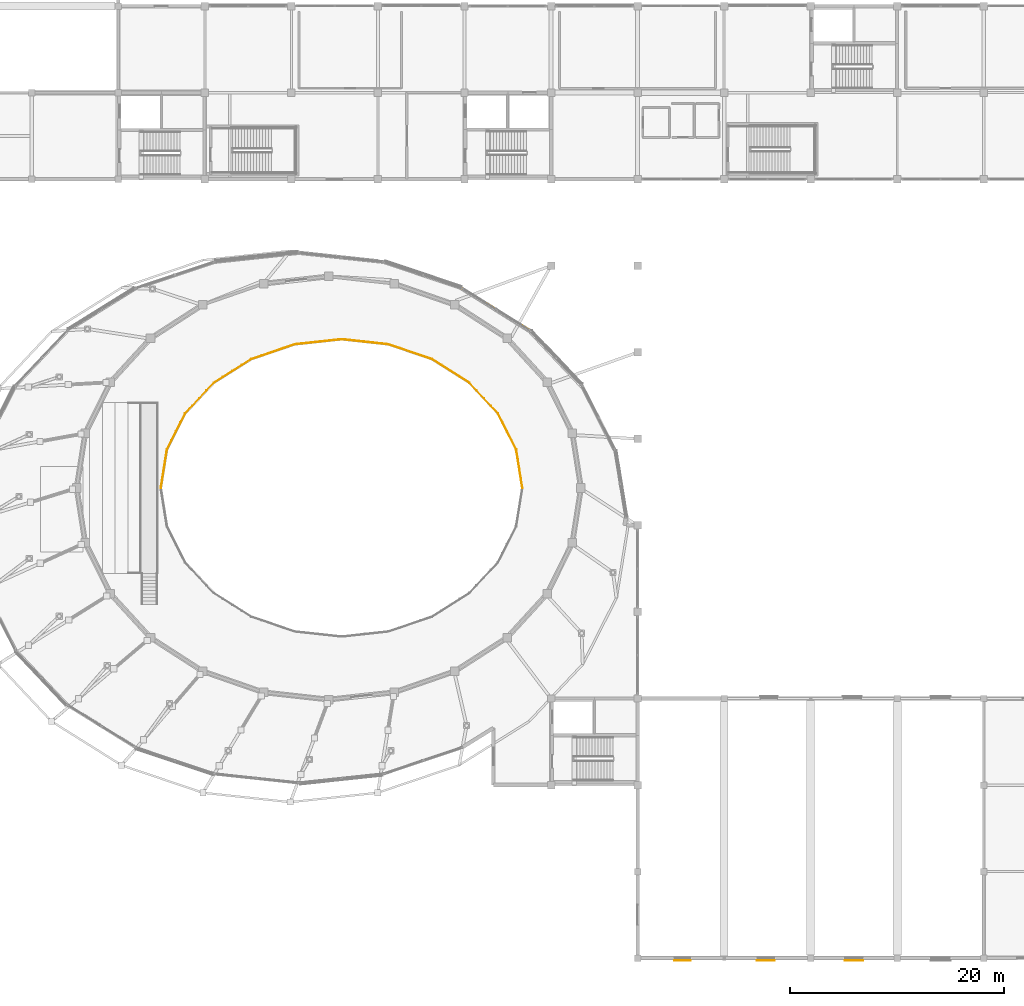
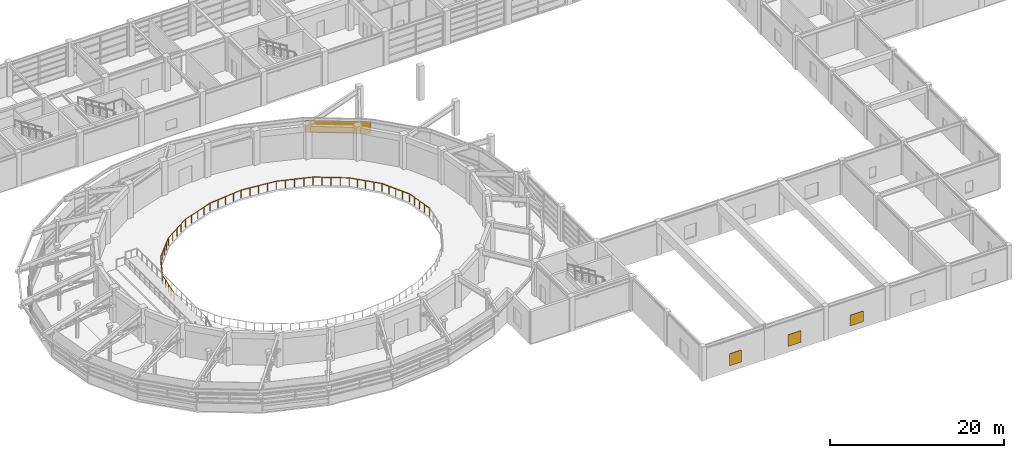
# One storey, part 50 of 58: 3 shading devices, 1 covering, 1 railing.
"""IFC4 building model written with IfcOpenShell, lengths in metres."""

from ifc_helpers import new_model, si_unit, direction, frame, origin, origin_2d, place, context, subcontext, project, spatial, rectangle, circle, extrude, material, layer, layer_set, type_object, element, save


model = new_model("IFC4")

# Units and contexts
model_context = context("Model", 3, precision=1e-05, world=origin(), true_north=direction((0.0, 1.0)))
body_context = subcontext(model_context, "Body", "Model", "MODEL_VIEW")
ifc_project = project(units=[si_unit("LENGTHUNIT", "METRE"), si_unit("AREAUNIT", "SQUARE_METRE"), si_unit("VOLUMEUNIT", "CUBIC_METRE"), si_unit("PLANEANGLEUNIT", "RADIAN"), si_unit("MASSUNIT", "GRAM", prefix="KILO")], contexts=[model_context])

# Site, building, storey
site_placement = place(None, origin())
site = spatial("IfcSite", under=ifc_project, at=site_placement, CompositionType="ELEMENT")
building_placement = place(site_placement, origin())
building = spatial("IfcBuilding", under=site, at=building_placement, Name="Parian Resonance Hall", CompositionType="ELEMENT")
storey_placement = place(building_placement, frame((0.0, 0.0, 10.199951171875)))
storey = spatial("IfcBuildingStorey", under=building, at=storey_placement, Name="L02", CompositionType="ELEMENT", Elevation=10.199951171875)

# Covering
ifc_material_1 = material(Name="Polychrome trencadis ceramic mosaic cladding")
ifc_layer_1 = layer(ifc_material_1, 0.030029296875)
ifc_layer_set_1 = layer_set([ifc_layer_1], Name="Polychrome trencadis ceramic mosaic cladding")
covering_type = type_object("IfcCoveringType", Name="COV-MOSAIC-CLAD", PredefinedType="CLADDING", material=ifc_layer_set_1)
covering_placement = place(storey_placement, frame((59.668701171875, 60.706787109375, 2.35498046875), z_axis=(0.0, 0.0, 1.0), x_axis=(0.849184669667, -0.528096010971, 0.0)))
element("IfcCovering", 1, at=covering_placement, inside=storey, type_object=covering_type, Name="Elliptical R2 upper mosaic frieze cladding 04", PredefinedType="CLADDING", context=body_context, shape_type="SweptSolid", body=[
    extrude(rectangle(XDim=7.462890625, YDim=0.030029296875, at=origin_2d()), origin(), (0.0, 0.0, 1.0), 1.695068359375),
])

# Railing
ifc_material_2 = material(Name="Patinated bronze whiplash metalwork")
railing_type = type_object("IfcRailingType", Name="RAIL-HALL-BAL-1120", PredefinedType="BALUSTRADE", material=ifc_material_2)
railing_placement = place(storey_placement, frame((62.1201171875, 44.0, 0.0)))
element("IfcRailing", 2, at=railing_placement, inside=storey, type_object=railing_type, Name="Main Concert Hall L02 north-west bronze balustrade", PredefinedType="BALUSTRADE", context=body_context, shape_type="SweptSolid", body=[
    extrude(circle(Radius=0.02392578125, at=origin_2d()), frame((0.0, 0.0, 1.09619140625), z_axis=(-0.158047914275, 0.987431444098, 0.0), x_axis=(-0.987431444098, -0.158047914275, 0.0)), (0.0, 0.0, 1.0), 3.648681640625),
    extrude(circle(Radius=0.02392578125, at=origin_2d()), frame((-0.57666015625, 3.602783203125, 1.09619140625), z_axis=(-0.449731982165, 0.893163559612, 0.0), x_axis=(-0.893163559612, -0.449731982165, 0.0)), (0.0, 0.0, 1.0), 3.7587890625),
    extrude(circle(Radius=0.02392578125, at=origin_2d()), frame((-2.26708984375, 6.9599609375, 1.09619140625), z_axis=(-0.682029143844, 0.731324994067, 0.0), x_axis=(-0.731324994067, -0.682029143844, 0.0)), (0.0, 0.0, 1.0), 3.942138671875),
    extrude(circle(Radius=0.02392578125, at=origin_2d()), frame((-4.955810546875, 9.843017578125, 1.09619140625), z_axis=(-0.845613468767, 0.533795711335, 0.0), x_axis=(-0.533795711335, -0.845613468767, 0.0)), (0.0, 0.0, 1.0), 4.144287109375),
    extrude(circle(Radius=0.02392578125, at=origin_2d()), frame((-8.460205078125, 12.05517578125, 1.09619140625), z_axis=(-0.946549881424, 0.32255747081, 0.0), x_axis=(-0.32255747081, -0.946549881424, 0.0)), (0.0, 0.0, 1.0), 4.311279296875),
    extrude(circle(Radius=0.02392578125, at=origin_2d()), frame((-12.541015625, 13.44580078125, 1.09619140625), z_axis=(-0.99419006698, 0.107638797462, 0.0), x_axis=(-0.107638797462, -0.99419006698, 0.0)), (0.0, 0.0, 1.0), 4.40478515625),
    extrude(circle(Radius=0.02392578125, at=origin_2d()), frame((-16.920166015625, 13.919921875, 1.09619140625), z_axis=(-0.99419006698, -0.107638797462, 0.0), x_axis=(0.107638797462, -0.99419006698, 0.0)), (0.0, 0.0, 1.0), 4.40478515625),
    extrude(circle(Radius=0.02392578125, at=origin_2d()), frame((-21.29931640625, 13.44580078125, 1.09619140625), z_axis=(-0.946549881424, -0.32255747081, 0.0), x_axis=(0.32255747081, -0.946549881424, 0.0)), (0.0, 0.0, 1.0), 4.311279296875),
    extrude(circle(Radius=0.02392578125, at=origin_2d()), frame((-25.380126953125, 12.05517578125, 1.09619140625), z_axis=(-0.84559668144, -0.533822304085, 0.0), x_axis=(0.533822304085, -0.84559668144, 0.0)), (0.0, 0.0, 1.0), 4.14404296875),
    extrude(circle(Radius=0.02392578125, at=origin_2d()), frame((-28.88427734375, 9.843017578125, 1.09619140625), z_axis=(-0.682062263866, -0.731294105138, 0.0), x_axis=(0.731294105138, -0.682062263866, 0.0)), (0.0, 0.0, 1.0), 3.9423828125),
    extrude(circle(Radius=0.02392578125, at=origin_2d()), frame((-31.5732421875, 6.9599609375, 1.09619140625), z_axis=(-0.449731982165, -0.893163559612, 0.0), x_axis=(0.893163559612, -0.449731982165, 0.0)), (0.0, 0.0, 1.0), 3.7587890625),
    extrude(circle(Radius=0.02392578125, at=origin_2d()), frame((-33.263671875, 3.602783203125, 1.09619140625), z_axis=(-0.157982671914, -0.987441884556, 0.0), x_axis=(0.987441884556, -0.157982671914, 0.0)), (0.0, 0.0, 1.0), 3.648681640625),
    extrude(circle(Radius=0.02099609375, at=origin_2d()), origin(), (0.0, 0.0, 1.0), 1.072021484375),
    extrude(circle(Radius=0.02099609375, at=origin_2d()), frame((-0.14404296875, 0.900634765625, 0.0)), (0.0, 0.0, 1.0), 1.072021484375),
    extrude(circle(Radius=0.02099609375, at=origin_2d()), frame((-0.288330078125, 1.80126953125, 0.0)), (0.0, 0.0, 1.0), 1.072021484375),
    extrude(circle(Radius=0.02099609375, at=origin_2d()), frame((-0.4326171875, 2.7021484375, 0.0)), (0.0, 0.0, 1.0), 1.072021484375),
    extrude(circle(Radius=0.02099609375, at=origin_2d()), frame((-0.57666015625, 3.602783203125, 0.0)), (0.0, 0.0, 1.0), 1.072021484375),
    extrude(circle(Radius=0.02099609375, at=origin_2d()), frame((-0.999267578125, 4.442138671875, 0.0)), (0.0, 0.0, 1.0), 1.072021484375),
    extrude(circle(Radius=0.02099609375, at=origin_2d()), frame((-1.421875, 5.28125, 0.0)), (0.0, 0.0, 1.0), 1.072021484375),
    extrude(circle(Radius=0.02099609375, at=origin_2d()), frame((-1.844482421875, 6.12060546875, 0.0)), (0.0, 0.0, 1.0), 1.072021484375),
    extrude(circle(Radius=0.02099609375, at=origin_2d()), frame((-2.26708984375, 6.9599609375, 0.0)), (0.0, 0.0, 1.0), 1.072021484375),
    extrude(circle(Radius=0.02099609375, at=origin_2d()), frame((-2.939208984375, 7.6806640625, 0.0)), (0.0, 0.0, 1.0), 1.072021484375),
    extrude(circle(Radius=0.02099609375, at=origin_2d()), frame((-3.611328125, 8.4013671875, 0.0)), (0.0, 0.0, 1.0), 1.072021484375),
    extrude(circle(Radius=0.02099609375, at=origin_2d()), frame((-4.28369140625, 9.122314453125, 0.0)), (0.0, 0.0, 1.0), 1.072021484375),
    extrude(circle(Radius=0.02099609375, at=origin_2d()), frame((-4.955810546875, 9.843017578125, 0.0)), (0.0, 0.0, 1.0), 1.072021484375),
    extrude(circle(Radius=0.02099609375, at=origin_2d()), frame((-5.83203125, 10.39599609375, 0.0)), (0.0, 0.0, 1.0), 1.072021484375),
    extrude(circle(Radius=0.02099609375, at=origin_2d()), frame((-6.7080078125, 10.94921875, 0.0)), (0.0, 0.0, 1.0), 1.072021484375),
    extrude(circle(Radius=0.02099609375, at=origin_2d()), frame((-7.583984375, 11.502197265625, 0.0)), (0.0, 0.0, 1.0), 1.072021484375),
    extrude(circle(Radius=0.02099609375, at=origin_2d()), frame((-8.460205078125, 12.05517578125, 0.0)), (0.0, 0.0, 1.0), 1.072021484375),
    extrude(circle(Radius=0.02099609375, at=origin_2d()), frame((-9.48046875, 12.40283203125, 0.0)), (0.0, 0.0, 1.0), 1.072021484375),
    extrude(circle(Radius=0.02099609375, at=origin_2d()), frame((-10.50048828125, 12.75048828125, 0.0)), (0.0, 0.0, 1.0), 1.072021484375),
    extrude(circle(Radius=0.02099609375, at=origin_2d()), frame((-11.520751953125, 13.09814453125, 0.0)), (0.0, 0.0, 1.0), 1.072021484375),
    extrude(circle(Radius=0.02099609375, at=origin_2d()), frame((-12.541015625, 13.44580078125, 0.0)), (0.0, 0.0, 1.0), 1.072021484375),
    extrude(circle(Radius=0.02099609375, at=origin_2d()), frame((-13.6357421875, 13.564453125, 0.0)), (0.0, 0.0, 1.0), 1.072021484375),
    extrude(circle(Radius=0.02099609375, at=origin_2d()), frame((-14.73046875, 13.682861328125, 0.0)), (0.0, 0.0, 1.0), 1.072021484375),
    extrude(circle(Radius=0.02099609375, at=origin_2d()), frame((-15.825439453125, 13.80126953125, 0.0)), (0.0, 0.0, 1.0), 1.072021484375),
    extrude(circle(Radius=0.02099609375, at=origin_2d()), frame((-16.920166015625, 13.919921875, 0.0)), (0.0, 0.0, 1.0), 1.072021484375),
    extrude(circle(Radius=0.02099609375, at=origin_2d()), frame((-18.014892578125, 13.80126953125, 0.0)), (0.0, 0.0, 1.0), 1.072021484375),
    extrude(circle(Radius=0.02099609375, at=origin_2d()), frame((-19.10986328125, 13.682861328125, 0.0)), (0.0, 0.0, 1.0), 1.072021484375),
    extrude(circle(Radius=0.02099609375, at=origin_2d()), frame((-20.20458984375, 13.564453125, 0.0)), (0.0, 0.0, 1.0), 1.072021484375),
    extrude(circle(Radius=0.02099609375, at=origin_2d()), frame((-21.29931640625, 13.44580078125, 0.0)), (0.0, 0.0, 1.0), 1.072021484375),
    extrude(circle(Radius=0.02099609375, at=origin_2d()), frame((-22.319580078125, 13.09814453125, 0.0)), (0.0, 0.0, 1.0), 1.072021484375),
    extrude(circle(Radius=0.02099609375, at=origin_2d()), frame((-23.33984375, 12.75048828125, 0.0)), (0.0, 0.0, 1.0), 1.072021484375),
    extrude(circle(Radius=0.02099609375, at=origin_2d()), frame((-24.35986328125, 12.40283203125, 0.0)), (0.0, 0.0, 1.0), 1.072021484375),
    extrude(circle(Radius=0.02099609375, at=origin_2d()), frame((-25.380126953125, 12.05517578125, 0.0)), (0.0, 0.0, 1.0), 1.072021484375),
    extrude(circle(Radius=0.02099609375, at=origin_2d()), frame((-26.256103515625, 11.502197265625, 0.0)), (0.0, 0.0, 1.0), 1.072021484375),
    extrude(circle(Radius=0.02099609375, at=origin_2d()), frame((-27.13232421875, 10.94921875, 0.0)), (0.0, 0.0, 1.0), 1.072021484375),
    extrude(circle(Radius=0.02099609375, at=origin_2d()), frame((-28.00830078125, 10.39599609375, 0.0)), (0.0, 0.0, 1.0), 1.072021484375),
    extrude(circle(Radius=0.02099609375, at=origin_2d()), frame((-28.88427734375, 9.843017578125, 0.0)), (0.0, 0.0, 1.0), 1.072021484375),
    extrude(circle(Radius=0.02099609375, at=origin_2d()), frame((-29.556640625, 9.122314453125, 0.0)), (0.0, 0.0, 1.0), 1.072021484375),
    extrude(circle(Radius=0.02099609375, at=origin_2d()), frame((-30.228759765625, 8.4013671875, 0.0)), (0.0, 0.0, 1.0), 1.072021484375),
    extrude(circle(Radius=0.02099609375, at=origin_2d()), frame((-30.90087890625, 7.6806640625, 0.0)), (0.0, 0.0, 1.0), 1.072021484375),
    extrude(circle(Radius=0.02099609375, at=origin_2d()), frame((-31.5732421875, 6.9599609375, 0.0)), (0.0, 0.0, 1.0), 1.072021484375),
    extrude(circle(Radius=0.02099609375, at=origin_2d()), frame((-31.995849609375, 6.12060546875, 0.0)), (0.0, 0.0, 1.0), 1.072021484375),
    extrude(circle(Radius=0.02099609375, at=origin_2d()), frame((-32.41845703125, 5.28125, 0.0)), (0.0, 0.0, 1.0), 1.072021484375),
    extrude(circle(Radius=0.02099609375, at=origin_2d()), frame((-32.841064453125, 4.442138671875, 0.0)), (0.0, 0.0, 1.0), 1.072021484375),
    extrude(circle(Radius=0.02099609375, at=origin_2d()), frame((-33.263671875, 3.602783203125, 0.0)), (0.0, 0.0, 1.0), 1.072021484375),
    extrude(circle(Radius=0.02099609375, at=origin_2d()), frame((-33.40771484375, 2.7021484375, 0.0)), (0.0, 0.0, 1.0), 1.072021484375),
    extrude(circle(Radius=0.02099609375, at=origin_2d()), frame((-33.5517578125, 1.80126953125, 0.0)), (0.0, 0.0, 1.0), 1.072021484375),
    extrude(circle(Radius=0.02099609375, at=origin_2d()), frame((-33.696044921875, 0.900634765625, 0.0)), (0.0, 0.0, 1.0), 1.072021484375),
    extrude(circle(Radius=0.02099609375, at=origin_2d()), frame((-33.840087890625, 0.0, 0.0)), (0.0, 0.0, 1.0), 1.072021484375),
])

# Shading devices
ifc_material_3 = material(Name="Patinated bronze persiana louver")
ifc_layer_2 = layer(ifc_material_3, 0.06005859375)
ifc_layer_set_2 = layer_set([ifc_layer_2], Name="Patinated bronze persiana louver")
shading_device_type = type_object("IfcShadingDeviceType", Name="SHD-PERSIANA-SHT", PredefinedType="SHUTTER", material=ifc_layer_set_2)
shading_device_1_placement = place(storey_placement, frame((77.10009765625, -0.2080078125, 0.85986328125), z_axis=(0.0, 0.0, 1.0), x_axis=(-1.0, 0.0, 0.0)))
element("IfcShadingDevice", 3, at=shading_device_1_placement, inside=storey, type_object=shading_device_type, Name="Bronze operable persiana shutter L02-021", PredefinedType="SHUTTER", context=body_context, shape_type="SweptSolid", body=[
    extrude(rectangle(XDim=1.570068359375, YDim=0.06005859375, at=origin_2d()), origin(), (0.0, 0.0, 1.0), 1.679931640625),
])
shading_device_2_placement = place(storey_placement, frame((84.89990234375, -0.2080078125, 0.860107421875), z_axis=(0.0, 0.0, 1.0), x_axis=(-1.0, 0.0, 0.0)))
element("IfcShadingDevice", 4, at=shading_device_2_placement, inside=storey, type_object=shading_device_type, Name="Bronze operable persiana shutter L02-023", PredefinedType="SHUTTER", context=body_context, shape_type="SweptSolid", body=[
    extrude(rectangle(XDim=1.669921875, YDim=0.06005859375, at=origin_2d()), origin(), (0.0, 0.0, 1.0), 1.6298828125),
])
shading_device_3_placement = place(storey_placement, frame((93.14990234375, -0.2080078125, 0.860107421875), z_axis=(0.0, 0.0, 1.0), x_axis=(-1.0, 0.0, 0.0)))
element("IfcShadingDevice", 5, at=shading_device_3_placement, inside=storey, type_object=shading_device_type, Name="Bronze operable persiana shutter L02-027", PredefinedType="SHUTTER", context=body_context, shape_type="SweptSolid", body=[
    extrude(rectangle(XDim=1.77001953125, YDim=0.06005859375, at=origin_2d()), origin(), (0.0, 0.0, 1.0), 1.47998046875),
])

save(model, "model.ifc")
